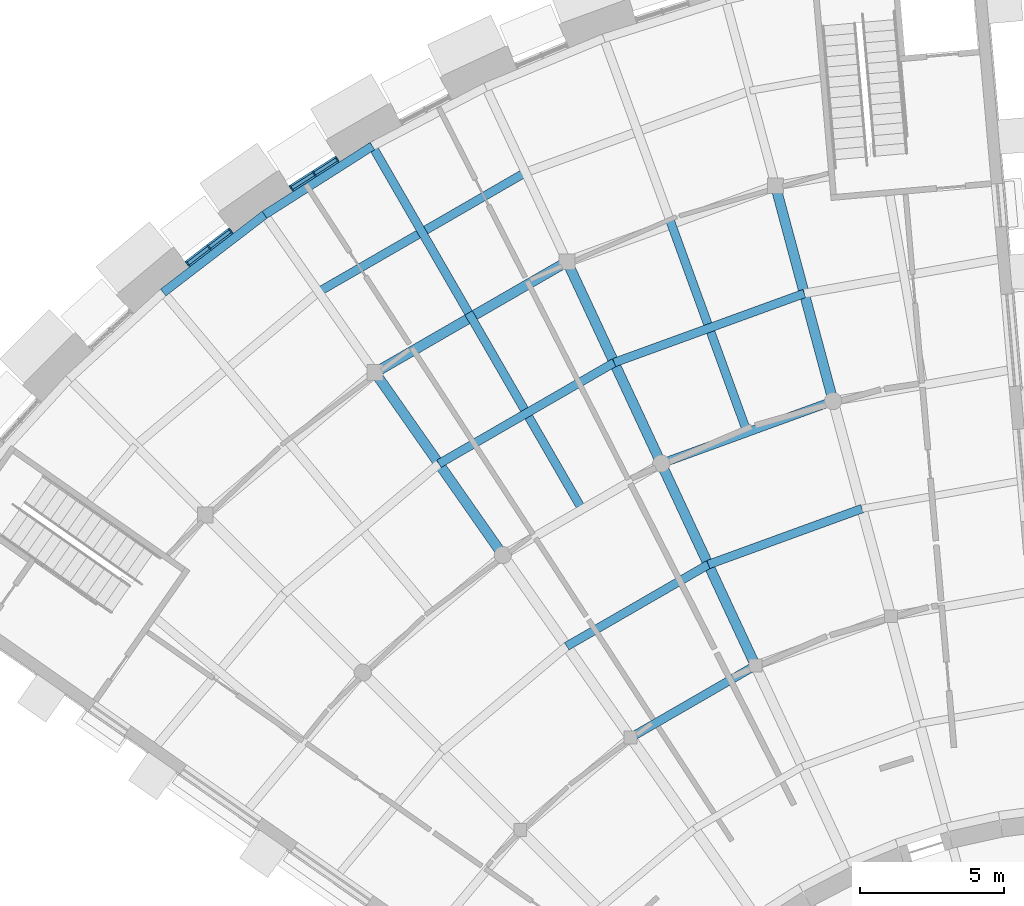
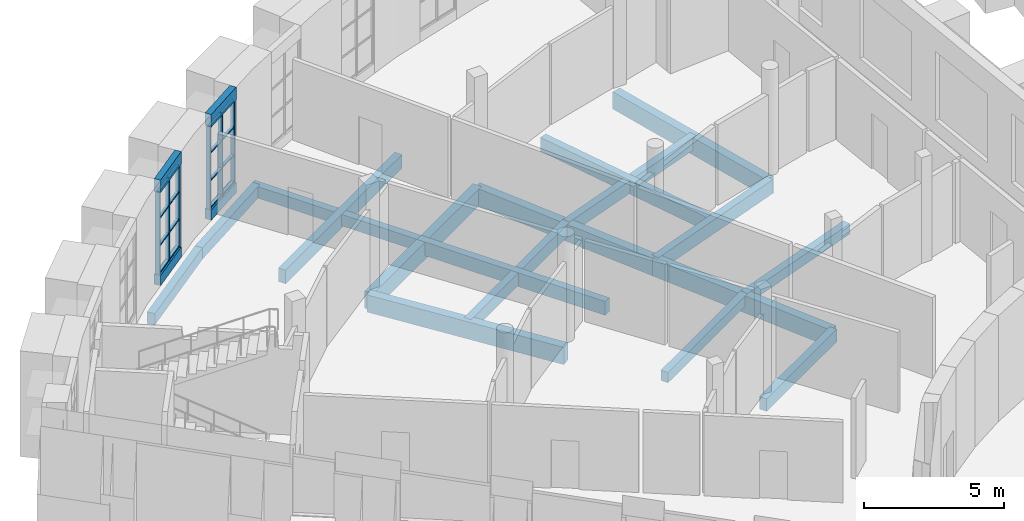
# One storey, part 10 of 50: 22 members, 21 beams, 2 elements without a shape of their own.
"""IFC4 building model written with IfcOpenShell, lengths in metres."""

from ifc_helpers import new_model, si_unit, direction, frame, origin, origin_2d, place, context, subcontext, project, spatial, rectangle, extrude, material, layer, layer_set, material_profile, profile_set, type_object, element, aggregate, save


model = new_model("IFC4")

# Units and contexts
model_context = context("Model", 3, precision=1e-05, world=origin(), true_north=direction((0.0, 1.0)))
body_context = subcontext(model_context, "Body", "Model", "MODEL_VIEW")
ifc_project = project(units=[si_unit("LENGTHUNIT", "METRE"), si_unit("AREAUNIT", "SQUARE_METRE"), si_unit("VOLUMEUNIT", "CUBIC_METRE"), si_unit("PLANEANGLEUNIT", "RADIAN"), si_unit("MASSUNIT", "GRAM", prefix="KILO")], contexts=[model_context])

# Site, building, storey
site_placement = place(None, origin())
site = spatial("IfcSite", under=ifc_project, at=site_placement, CompositionType="ELEMENT")
building_placement = place(site_placement, origin())
building = spatial("IfcBuilding", under=site, at=building_placement, Name="Volute Hill Aquarium", CompositionType="ELEMENT")
storey_placement = place(building_placement, frame((0.0, 0.0, 9.199951171875)))
storey = spatial("IfcBuildingStorey", under=building, at=storey_placement, Name="L03", CompositionType="ELEMENT", Elevation=9.199951171875)

# Beams
ifc_material_1 = material(Name="Concrete C35/45", Category="concrete")
ifc_material_profile_1 = material_profile(ifc_material_1, rectangle(XDim=0.300048828125, YDim=0.550048828125, at=origin_2d()), Name="RC beam 300x550")
ifc_profile_set_1 = profile_set([ifc_material_profile_1], Name="Concrete C35/45")
beam_type_1 = type_object("IfcBeamType", Name="Beam 300x550 C35/45", PredefinedType="BEAM", material=ifc_profile_set_1)
beam_1_placement = place(storey_placement, frame((-12.150390625, 26.056396484375, -0.594970703125), z_axis=(-0.866003851672, -0.500037327496, 0.0), x_axis=(0.500037327496, -0.866003851672, 0.0)))
element("IfcBeam", 1, at=beam_1_placement, inside=storey, type_object=beam_type_1, Name="bm/S6/L03/ring1.19", PredefinedType="BEAM", context=body_context, shape_type="SweptSolid", body=[
    extrude(rectangle(XDim=0.300048828125, YDim=0.550048828125, at=origin_2d()), origin(), (0.0, 0.0, 1.0), 5.01123046875),
])
ifc_material_2 = material(Name="Concrete C35/45", Category="concrete")
ifc_material_profile_2 = material_profile(ifc_material_2, rectangle(XDim=0.300048828125, YDim=0.60009765625, at=origin_2d()), Name="RC beam 300x600")
ifc_profile_set_2 = profile_set([ifc_material_profile_2], Name="Concrete C35/45")
beam_type_2 = type_object("IfcBeamType", Name="Beam 300x600 C35/45", PredefinedType="BEAM", material=ifc_profile_set_2)
beam_2_placement = place(storey_placement, frame((-9.447021484375, 35.25634765625, -0.619873046875), z_axis=(-0.939679092098, -0.342057310804, 0.0), x_axis=(0.342057310804, -0.939679092098, 0.0)))
element("IfcBeam", 2, at=beam_2_placement, inside=storey, type_object=beam_type_2, Name="bm/S6/L03/ring2.23", PredefinedType="BEAM", context=body_context, shape_type="SweptSolid", body=[
    extrude(rectangle(XDim=0.300048828125, YDim=0.60009765625, at=origin_2d()), origin(), (0.0, 0.0, 1.0), 6.3623046875),
])
ifc_material_3 = material(Name="Concrete C35/45", Category="concrete")
ifc_material_profile_3 = material_profile(ifc_material_3, rectangle(XDim=0.35009765625, YDim=0.75, at=origin_2d()), Name="RC beam 350x750")
ifc_profile_set_3 = profile_set([ifc_material_profile_3], Name="Concrete C35/45")
beam_type_3 = type_object("IfcBeamType", Name="Beam 350x750 C35/45", PredefinedType="BEAM", material=ifc_profile_set_3)
for number, where, z_axis, x_axis, name in (
    (3, (-9.447021484375, 35.25634765625, -0.695068359375), (-0.258793822337, 0.965932584356, 0.0), (-0.965932584356, -0.258793822337, 0.0), "bm/S6/L03/rad1.3"),
    (4, (-12.150390625, 26.056396484375, -0.695068359375), (-0.422612956623, 0.906310260835, 0.0), (-0.906310260835, -0.422612956623, 0.0), "bm/S6/L03/rad2.6"),
):
    element("IfcBeam", number, at=place(storey_placement, frame(where, z_axis=z_axis, x_axis=x_axis)), inside=storey, type_object=beam_type_3, Name=name, PredefinedType="BEAM", context=body_context, shape_type="SweptSolid", body=[
        extrude(rectangle(XDim=0.35009765625, YDim=0.75, at=origin_2d()), origin(), (0.0, 0.0, 1.0), 7.749755859375),
    ])
beam_3_placement = place(storey_placement, frame((-15.425537109375, 33.080078125, -0.695068359375), z_axis=(-0.422626766283, 0.906303821255, 0.0), x_axis=(-0.906303821255, -0.422626766283, 0.0)))
element("IfcBeam", 5, at=beam_3_placement, inside=storey, type_object=beam_type_3, Name="bm/S6/L03/rad2.7", PredefinedType="BEAM", context=body_context, shape_type="SweptSolid", body=[
    extrude(rectangle(XDim=0.35009765625, YDim=0.75, at=origin_2d()), origin(), (0.0, 0.0, 1.0), 7.75),
])
beam_4_placement = place(storey_placement, frame((-20.935546875, 29.89892578125, -0.695068359375), z_axis=(-0.573572275972, 0.819154957402, 0.0), x_axis=(-0.819154957402, -0.573572275972, 0.0)))
element("IfcBeam", 6, at=beam_4_placement, inside=storey, type_object=beam_type_3, Name="bm/S6/L03/rad3.11", PredefinedType="BEAM", context=body_context, shape_type="SweptSolid", body=[
    extrude(rectangle(XDim=0.35009765625, YDim=0.75, at=origin_2d()), origin(), (0.0, 0.0, 1.0), 7.750244140625),
])
beam_5_placement = place(storey_placement, frame((-18.700927734375, 40.10400390625, -0.695068359375), z_axis=(-0.866037474467, -0.499979092382, 0.0), x_axis=(0.499979092382, -0.866037474467, 0.0)))
element("IfcBeam", 7, at=beam_5_placement, inside=storey, type_object=beam_type_3, Name="bm/S6/L03/ring3.29", PredefinedType="BEAM", context=body_context, shape_type="SweptSolid", body=[
    extrude(rectangle(XDim=0.35009765625, YDim=0.75, at=origin_2d()), origin(), (0.0, 0.0, 1.0), 7.713134765625),
])

# Curtain wall, members
ifc_material_4 = material(Name="Aluminium", Category="aluminium")
ifc_layer = layer(ifc_material_4, 0.25)
ifc_layer_set = layer_set([ifc_layer], Name="Curtain wall niche S6 module 967")
curtain_wall_type = type_object("IfcCurtainWallType", Name="Curtain wall niche S6 module 967", PredefinedType="NOTDEFINED", material=ifc_layer_set)
curtain_wall_1_placement = place(storey_placement, origin())
curtain_wall_1 = element("IfcCurtainWall", 8, at=curtain_wall_1_placement, inside=storey, type_object=curtain_wall_type, Name="Curtain wall CW S6 L03 6", PredefinedType="NOTDEFINED")
ifc_material_5 = material(Name="Aluminium", Category="aluminium")
ifc_material_profile_4 = material_profile(ifc_material_5, rectangle(XDim=0.169921875, YDim=0.050048828125, at=origin_2d()), Name="Curtain wall mullion S6 50x170")
ifc_profile_set_4 = profile_set([ifc_material_profile_4], Name="Aluminium")
member_type_1 = type_object("IfcMemberType", Name="Curtain wall mullion S6 50x170", PredefinedType="MULLION", material=ifc_profile_set_4)
member_1_placement = place(storey_placement, frame((-26.702392578125, 43.66748046875, 0.449951171875), z_axis=(0.0, 0.0, 1.0), x_axis=(0.537294689973, -0.843394579142, 0.0)))
member_1 = element("IfcMember", 9, at=member_1_placement, type_object=member_type_1, Name="CW mullion 1", PredefinedType="MULLION", context=body_context, shape_type="SweptSolid", body=[
    extrude(rectangle(XDim=0.169921875, YDim=0.050048828125, at=origin_2d()), origin(), (0.0, 0.0, 1.0), 3.60009765625),
])
member_2_placement = place(storey_placement, frame((-27.496826171875, 43.161376953125, 0.449951171875), z_axis=(0.0, 0.0, 1.0), x_axis=(0.537294689973, -0.843394579142, 0.0)))
member_2 = element("IfcMember", 10, at=member_2_placement, type_object=member_type_1, Name="CW mullion 2", PredefinedType="MULLION", context=body_context, shape_type="SweptSolid", body=[
    extrude(rectangle(XDim=0.169921875, YDim=0.050048828125, at=origin_2d()), origin(), (0.0, 0.0, 1.0), 3.60009765625),
])
member_3_placement = place(storey_placement, frame((-28.291259765625, 42.6552734375, 0.449951171875), z_axis=(0.0, 0.0, 1.0), x_axis=(0.537294689973, -0.843394579142, 0.0)))
member_3 = element("IfcMember", 11, at=member_3_placement, type_object=member_type_1, Name="CW mullion 3", PredefinedType="MULLION", context=body_context, shape_type="SweptSolid", body=[
    extrude(rectangle(XDim=0.169921875, YDim=0.050048828125, at=origin_2d()), origin(), (0.0, 0.0, 1.0), 3.60009765625),
])

curtain_wall_2_placement = place(storey_placement, origin())
curtain_wall_2 = element("IfcCurtainWall", 12, at=curtain_wall_2_placement, inside=storey, type_object=curtain_wall_type, Name="Curtain wall CW S6 L03 7", PredefinedType="NOTDEFINED")
member_4_placement = place(storey_placement, frame((-30.40673828125, 41.174072265625, 0.449951171875), z_axis=(0.0, 0.0, 1.0), x_axis=(0.608768681127, -0.793347775493, 0.0)))
member_4 = element("IfcMember", 13, at=member_4_placement, type_object=member_type_1, Name="CW mullion 1", PredefinedType="MULLION", context=body_context, shape_type="SweptSolid", body=[
    extrude(rectangle(XDim=0.169921875, YDim=0.050048828125, at=origin_2d()), origin(), (0.0, 0.0, 1.0), 3.60009765625),
])
member_5_placement = place(storey_placement, frame((-31.154052734375, 40.6005859375, 0.449951171875), z_axis=(0.0, 0.0, 1.0), x_axis=(0.608768681127, -0.793347775493, 0.0)))
member_5 = element("IfcMember", 14, at=member_5_placement, type_object=member_type_1, Name="CW mullion 2", PredefinedType="MULLION", context=body_context, shape_type="SweptSolid", body=[
    extrude(rectangle(XDim=0.169921875, YDim=0.050048828125, at=origin_2d()), origin(), (0.0, 0.0, 1.0), 3.60009765625),
])
member_6_placement = place(storey_placement, frame((-31.9013671875, 40.027099609375, 0.449951171875), z_axis=(0.0, 0.0, 1.0), x_axis=(0.608768681127, -0.793347775493, 0.0)))
member_6 = element("IfcMember", 15, at=member_6_placement, type_object=member_type_1, Name="CW mullion 3", PredefinedType="MULLION", context=body_context, shape_type="SweptSolid", body=[
    extrude(rectangle(XDim=0.169921875, YDim=0.050048828125, at=origin_2d()), origin(), (0.0, 0.0, 1.0), 3.60009765625),
])

# Member
ifc_material_6 = material(Name="Aluminium", Category="aluminium")
ifc_material_profile_5 = material_profile(ifc_material_6, rectangle(XDim=0.1201171875, YDim=0.050048828125, at=origin_2d()), Name="Curtain wall transom S6 50x120")
ifc_profile_set_5 = profile_set([ifc_material_profile_5], Name="Aluminium")
member_type_2 = type_object("IfcMemberType", Name="Curtain wall transom S6 50x120", PredefinedType="USERDEFINED", material=ifc_profile_set_5)
member_7_placement = place(storey_placement, frame((-26.7236328125, 43.654052734375, 0.47509765625), z_axis=(-0.843368307782, -0.537335926055, 0.0), x_axis=(0.537335926055, -0.843368307782, 0.0)))
member_7 = element("IfcMember", 16, at=member_7_placement, type_object=member_type_2, Name="CW transom 1.1", ObjectType="TRANSOM", PredefinedType="USERDEFINED", context=body_context, shape_type="SweptSolid", body=[
    extrude(rectangle(XDim=0.1201171875, YDim=0.050048828125, at=origin_2d()), origin(), (0.0, 0.0, 1.0), 0.891845703125),
])

member_8_placement = place(storey_placement, frame((-26.7236328125, 43.654052734375, 1.650146484375), z_axis=(-0.843368307782, -0.537335926055, 0.0), x_axis=(0.537335926055, -0.843368307782, 0.0)))
member_8 = element("IfcMember", 17, at=member_8_placement, type_object=member_type_2, Name="CW transom 1.2", ObjectType="TRANSOM", PredefinedType="USERDEFINED", context=body_context, shape_type="SweptSolid", body=[
    extrude(rectangle(XDim=0.1201171875, YDim=0.050048828125, at=origin_2d()), origin(), (0.0, 0.0, 1.0), 0.891845703125),
])

member_9_placement = place(storey_placement, frame((-26.7236328125, 43.654052734375, 2.85009765625), z_axis=(-0.843368307782, -0.537335926055, 0.0), x_axis=(0.537335926055, -0.843368307782, 0.0)))
member_9 = element("IfcMember", 18, at=member_9_placement, type_object=member_type_2, Name="CW transom 1.3", ObjectType="TRANSOM", PredefinedType="USERDEFINED", context=body_context, shape_type="SweptSolid", body=[
    extrude(rectangle(XDim=0.1201171875, YDim=0.050048828125, at=origin_2d()), origin(), (0.0, 0.0, 1.0), 0.891845703125),
])

member_10_placement = place(storey_placement, frame((-26.7236328125, 43.654052734375, 4.025146484375), z_axis=(-0.843368307782, -0.537335926055, 0.0), x_axis=(0.537335926055, -0.843368307782, 0.0)))
member_10 = element("IfcMember", 19, at=member_10_placement, type_object=member_type_2, Name="CW transom 1.4", ObjectType="TRANSOM", PredefinedType="USERDEFINED", context=body_context, shape_type="SweptSolid", body=[
    extrude(rectangle(XDim=0.1201171875, YDim=0.050048828125, at=origin_2d()), origin(), (0.0, 0.0, 1.0), 0.891845703125),
])

member_11_placement = place(storey_placement, frame((-27.517822265625, 43.14794921875, 0.47509765625), z_axis=(-0.843368307782, -0.537335926055, 0.0), x_axis=(0.537335926055, -0.843368307782, 0.0)))
member_11 = element("IfcMember", 20, at=member_11_placement, type_object=member_type_2, Name="CW transom 2.1", ObjectType="TRANSOM", PredefinedType="USERDEFINED", context=body_context, shape_type="SweptSolid", body=[
    extrude(rectangle(XDim=0.1201171875, YDim=0.050048828125, at=origin_2d()), origin(), (0.0, 0.0, 1.0), 0.891845703125),
])

member_12_placement = place(storey_placement, frame((-27.517822265625, 43.14794921875, 1.650146484375), z_axis=(-0.843368307782, -0.537335926055, 0.0), x_axis=(0.537335926055, -0.843368307782, 0.0)))
member_12 = element("IfcMember", 21, at=member_12_placement, type_object=member_type_2, Name="CW transom 2.2", ObjectType="TRANSOM", PredefinedType="USERDEFINED", context=body_context, shape_type="SweptSolid", body=[
    extrude(rectangle(XDim=0.1201171875, YDim=0.050048828125, at=origin_2d()), origin(), (0.0, 0.0, 1.0), 0.891845703125),
])

member_13_placement = place(storey_placement, frame((-27.517822265625, 43.14794921875, 2.85009765625), z_axis=(-0.843368307782, -0.537335926055, 0.0), x_axis=(0.537335926055, -0.843368307782, 0.0)))
member_13 = element("IfcMember", 22, at=member_13_placement, type_object=member_type_2, Name="CW transom 2.3", ObjectType="TRANSOM", PredefinedType="USERDEFINED", context=body_context, shape_type="SweptSolid", body=[
    extrude(rectangle(XDim=0.1201171875, YDim=0.050048828125, at=origin_2d()), origin(), (0.0, 0.0, 1.0), 0.891845703125),
])

member_14_placement = place(storey_placement, frame((-27.517822265625, 43.14794921875, 4.025146484375), z_axis=(-0.843368307782, -0.537335926055, 0.0), x_axis=(0.537335926055, -0.843368307782, 0.0)))
member_14 = element("IfcMember", 23, at=member_14_placement, type_object=member_type_2, Name="CW transom 2.4", ObjectType="TRANSOM", PredefinedType="USERDEFINED", context=body_context, shape_type="SweptSolid", body=[
    extrude(rectangle(XDim=0.1201171875, YDim=0.050048828125, at=origin_2d()), origin(), (0.0, 0.0, 1.0), 0.891845703125),
])

aggregate(curtain_wall_1, [member_1, member_2, member_3, member_7, member_8, member_9, member_10, member_11, member_12, member_13, member_14])

member_15_placement = place(storey_placement, frame((-30.426513671875, 41.15869140625, 0.47509765625), z_axis=(-0.793416906556, -0.608678578883, 0.0), x_axis=(0.608678578883, -0.793416906556, 0.0)))
member_15 = element("IfcMember", 24, at=member_15_placement, type_object=member_type_2, Name="CW transom 1.1", ObjectType="TRANSOM", PredefinedType="USERDEFINED", context=body_context, shape_type="SweptSolid", body=[
    extrude(rectangle(XDim=0.1201171875, YDim=0.050048828125, at=origin_2d()), origin(), (0.0, 0.0, 1.0), 0.89208984375),
])

member_16_placement = place(storey_placement, frame((-30.426513671875, 41.15869140625, 1.650146484375), z_axis=(-0.793416906556, -0.608678578883, 0.0), x_axis=(0.608678578883, -0.793416906556, 0.0)))
member_16 = element("IfcMember", 25, at=member_16_placement, type_object=member_type_2, Name="CW transom 1.2", ObjectType="TRANSOM", PredefinedType="USERDEFINED", context=body_context, shape_type="SweptSolid", body=[
    extrude(rectangle(XDim=0.1201171875, YDim=0.050048828125, at=origin_2d()), origin(), (0.0, 0.0, 1.0), 0.89208984375),
])

member_17_placement = place(storey_placement, frame((-30.426513671875, 41.15869140625, 2.85009765625), z_axis=(-0.793416906556, -0.608678578883, 0.0), x_axis=(0.608678578883, -0.793416906556, 0.0)))
member_17 = element("IfcMember", 26, at=member_17_placement, type_object=member_type_2, Name="CW transom 1.3", ObjectType="TRANSOM", PredefinedType="USERDEFINED", context=body_context, shape_type="SweptSolid", body=[
    extrude(rectangle(XDim=0.1201171875, YDim=0.050048828125, at=origin_2d()), origin(), (0.0, 0.0, 1.0), 0.89208984375),
])

member_18_placement = place(storey_placement, frame((-30.426513671875, 41.15869140625, 4.025146484375), z_axis=(-0.793416906556, -0.608678578883, 0.0), x_axis=(0.608678578883, -0.793416906556, 0.0)))
member_18 = element("IfcMember", 27, at=member_18_placement, type_object=member_type_2, Name="CW transom 1.4", ObjectType="TRANSOM", PredefinedType="USERDEFINED", context=body_context, shape_type="SweptSolid", body=[
    extrude(rectangle(XDim=0.1201171875, YDim=0.050048828125, at=origin_2d()), origin(), (0.0, 0.0, 1.0), 0.89208984375),
])

member_19_placement = place(storey_placement, frame((-31.173828125, 40.58544921875, 0.47509765625), z_axis=(-0.793315475548, -0.608810772125, 0.0), x_axis=(0.608810772125, -0.793315475548, 0.0)))
member_19 = element("IfcMember", 28, at=member_19_placement, type_object=member_type_2, Name="CW transom 2.1", ObjectType="TRANSOM", PredefinedType="USERDEFINED", context=body_context, shape_type="SweptSolid", body=[
    extrude(rectangle(XDim=0.1201171875, YDim=0.050048828125, at=origin_2d()), origin(), (0.0, 0.0, 1.0), 0.891845703125),
])

member_20_placement = place(storey_placement, frame((-31.173828125, 40.58544921875, 1.650146484375), z_axis=(-0.793315475548, -0.608810772125, 0.0), x_axis=(0.608810772125, -0.793315475548, 0.0)))
member_20 = element("IfcMember", 29, at=member_20_placement, type_object=member_type_2, Name="CW transom 2.2", ObjectType="TRANSOM", PredefinedType="USERDEFINED", context=body_context, shape_type="SweptSolid", body=[
    extrude(rectangle(XDim=0.1201171875, YDim=0.050048828125, at=origin_2d()), origin(), (0.0, 0.0, 1.0), 0.891845703125),
])

member_21_placement = place(storey_placement, frame((-31.173828125, 40.58544921875, 2.85009765625), z_axis=(-0.793315475548, -0.608810772125, 0.0), x_axis=(0.608810772125, -0.793315475548, 0.0)))
member_21 = element("IfcMember", 30, at=member_21_placement, type_object=member_type_2, Name="CW transom 2.3", ObjectType="TRANSOM", PredefinedType="USERDEFINED", context=body_context, shape_type="SweptSolid", body=[
    extrude(rectangle(XDim=0.1201171875, YDim=0.050048828125, at=origin_2d()), origin(), (0.0, 0.0, 1.0), 0.891845703125),
])

member_22_placement = place(storey_placement, frame((-31.173828125, 40.58544921875, 4.025146484375), z_axis=(-0.793315475548, -0.608810772125, 0.0), x_axis=(0.608810772125, -0.793315475548, 0.0)))
member_22 = element("IfcMember", 31, at=member_22_placement, type_object=member_type_2, Name="CW transom 2.4", ObjectType="TRANSOM", PredefinedType="USERDEFINED", context=body_context, shape_type="SweptSolid", body=[
    extrude(rectangle(XDim=0.1201171875, YDim=0.050048828125, at=origin_2d()), origin(), (0.0, 0.0, 1.0), 0.891845703125),
])

aggregate(curtain_wall_2, [member_4, member_5, member_6, member_15, member_16, member_17, member_18, member_19, member_20, member_21, member_22])

# Beams
ifc_material_7 = material(Name="Concrete C35/45", Category="concrete")
ifc_material_profile_6 = material_profile(ifc_material_7, rectangle(XDim=0.300048828125, YDim=0.5, at=origin_2d()), Name="RC edge beam 300x500")
ifc_profile_set_6 = profile_set([ifc_material_profile_6], Name="Concrete C35/45")
beam_type_4 = type_object("IfcBeamType", Name="Edge beam 300x500 C35/45", PredefinedType="BEAM", material=ifc_profile_set_6)
for number, where, z_axis, x_axis, name in (
    (32, (-25.474853515625, 44.123779296875, -0.570068359375), (-0.843396768651, -0.537291253073, 0.0), (0.537291253073, -0.843396768651, 0.0), "bm/S6/L03/edgeO.47"),
    (33, (-29.2236328125, 41.735595703125, -0.570068359375), (-0.793360529579, -0.608752059632, 0.0), (0.608752059632, -0.793360529579, 0.0), "bm/S6/L03/edgeO.48"),
):
    element("IfcBeam", number, at=place(storey_placement, frame(where, z_axis=z_axis, x_axis=x_axis)), inside=storey, type_object=beam_type_4, Name=name, PredefinedType="BEAM", context=body_context, shape_type="SweptSolid", body=[
        extrude(rectangle(XDim=0.300048828125, YDim=0.5, at=origin_2d()), origin(), (0.0, 0.0, 1.0), 4.44482421875),
    ])
ifc_material_8 = material(Name="Concrete C35/45", Category="concrete")
ifc_material_profile_7 = material_profile(ifc_material_8, rectangle(XDim=0.300048828125, YDim=0.449951171875, at=origin_2d()), Name="RC joist 300x450")
ifc_profile_set_7 = profile_set([ifc_material_profile_7], Name="Concrete C35/45")
beam_type_5 = type_object("IfcBeamType", Name="Joist 300x450 C35/45", PredefinedType="BEAM", material=ifc_profile_set_7)
beam_6_placement = place(storey_placement, frame((-8.444091796875, 31.51318359375, -0.544921875), z_axis=(-0.939700630185, -0.341998136881, 0.0), x_axis=(0.341998136881, -0.939700630185, 0.0)))
element("IfcBeam", 34, at=beam_6_placement, inside=storey, type_object=beam_type_5, Name="bm/S6/L03/jst7", PredefinedType="BEAM", context=body_context, shape_type="SweptSolid", body=[
    extrude(rectangle(XDim=0.300048828125, YDim=0.449951171875, at=origin_2d()), origin(), (0.0, 0.0, 1.0), 5.686767578125),
])
beam_7_placement = place(storey_placement, frame((-13.787841796875, 29.568359375, -0.544921875), z_axis=(-0.866023302837, -0.50000363893, 0.0), x_axis=(0.50000363893, -0.866023302837, 0.0)))
element("IfcBeam", 35, at=beam_7_placement, inside=storey, type_object=beam_type_5, Name="bm/S6/L03/jst8", PredefinedType="BEAM", context=body_context, shape_type="SweptSolid", body=[
    extrude(rectangle(XDim=0.300048828125, YDim=0.449951171875, at=origin_2d()), origin(), (0.0, 0.0, 1.0), 5.68701171875),
])
ifc_material_9 = material(Name="Concrete C35/45", Category="concrete")
ifc_material_profile_8 = material_profile(ifc_material_9, rectangle(XDim=0.300048828125, YDim=0.5, at=origin_2d()), Name="RC joist 300x500")
ifc_profile_set_8 = profile_set([ifc_material_profile_8], Name="Concrete C35/45")
beam_type_6 = type_object("IfcBeamType", Name="Joist 300x500 C35/45", PredefinedType="BEAM", material=ifc_profile_set_8)
beam_8_placement = place(storey_placement, frame((-22.125, 38.321533203125, -0.570068359375), z_axis=(-0.499999086063, 0.866025931445, 0.0), x_axis=(-0.866025931445, -0.499999086063, 0.0)))
element("IfcBeam", 36, at=beam_8_placement, inside=storey, type_object=beam_type_6, Name="bm/S6/L03/rjst8", PredefinedType="BEAM", context=body_context, shape_type="SweptSolid", body=[
    extrude(rectangle(XDim=0.300048828125, YDim=0.5, at=origin_2d()), origin(), (0.0, 0.0, 1.0), 6.85009765625),
])
ifc_material_10 = material(Name="Concrete C35/45", Category="concrete")
ifc_material_profile_9 = material_profile(ifc_material_10, rectangle(XDim=0.300048828125, YDim=0.550048828125, at=origin_2d()), Name="RC joist 300x550")
ifc_profile_set_9 = profile_set([ifc_material_profile_9], Name="Concrete C35/45")
beam_type_7 = type_object("IfcBeamType", Name="Joist 300x550 C35/45", PredefinedType="BEAM", material=ifc_profile_set_9)
for number, where, z_axis, x_axis, name in (
    (37, (-10.44970703125, 38.999267578125, -0.594970703125), (-0.939699194872, -0.342002080632, 0.0), (0.342002080632, -0.939699194872, 0.0), "bm/S6/L03/jst12"),
    (38, (-17.063232421875, 36.59228515625, -0.594970703125), (-0.866018636338, -0.500011721377, 0.0), (0.500011721377, -0.866018636338, 0.0), "bm/S6/L03/jst13"),
):
    element("IfcBeam", number, at=place(storey_placement, frame(where, z_axis=z_axis, x_axis=x_axis)), inside=storey, type_object=beam_type_7, Name=name, PredefinedType="BEAM", context=body_context, shape_type="SweptSolid", body=[
        extrude(rectangle(XDim=0.300048828125, YDim=0.550048828125, at=origin_2d()), origin(), (0.0, 0.0, 1.0), 7.037841796875),
    ])
ifc_material_11 = material(Name="Concrete C35/45", Category="concrete")
ifc_material_profile_10 = material_profile(ifc_material_11, rectangle(XDim=0.300048828125, YDim=0.60009765625, at=origin_2d()), Name="RC joist 300x600")
ifc_profile_set_10 = profile_set([ifc_material_profile_10], Name="Concrete C35/45")
beam_type_8 = type_object("IfcBeamType", Name="Joist 300x600 C35/45", PredefinedType="BEAM", material=ifc_profile_set_10)
beam_9_placement = place(storey_placement, frame((-20.148193359375, 43.208251953125, -0.619873046875), z_axis=(-0.866021696715, -0.500006420777, 0.0), x_axis=(0.500006420777, -0.866021696715, 0.0)))
element("IfcBeam", 39, at=beam_9_placement, inside=storey, type_object=beam_type_8, Name="bm/S6/L03/jst18", PredefinedType="BEAM", context=body_context, shape_type="SweptSolid", body=[
    extrude(rectangle(XDim=0.300048828125, YDim=0.60009765625, at=origin_2d()), origin(), (0.0, 0.0, 1.0), 8.310546875),
])
for number, where, z_axis, x_axis, name in (
    (40, (-12.483642578125, 34.298828125, -0.619873046875), (-0.342051628927, 0.939681160367, 0.0), (-0.939681160367, -0.342051628927, 0.0), "bm/S6/L03/rjst2"),
    (41, (-18.25, 31.60986328125, -0.619873046875), (-0.500001506187, 0.866024534185, 0.0), (-0.866024534185, -0.500001506187, 0.0), "bm/S6/L03/rjst3"),
):
    element("IfcBeam", number, at=place(storey_placement, frame(where, z_axis=z_axis, x_axis=x_axis)), inside=storey, type_object=beam_type_8, Name=name, PredefinedType="BEAM", context=body_context, shape_type="SweptSolid", body=[
        extrude(rectangle(XDim=0.300048828125, YDim=0.60009765625, at=origin_2d()), origin(), (0.0, 0.0, 1.0), 7.75),
    ])
ifc_material_12 = material(Name="Concrete C35/45", Category="concrete")
ifc_material_profile_11 = material_profile(ifc_material_12, rectangle(XDim=0.25, YDim=0.550048828125, at=origin_2d()), Name="RC beam 250x550")
ifc_profile_set_11 = profile_set([ifc_material_profile_11], Name="Concrete C35/45")
beam_type_9 = type_object("IfcBeamType", Name="Niche head beam RC 250x550 C35/45", PredefinedType="BEAM", material=ifc_profile_set_11)
for number, where, z_axis, x_axis, name in (
    (42, (-26.681396484375, 43.680908203125, 4.324951171875), (-0.843370239062, -0.537332894828, 0.0), (0.537332894828, -0.843370239062, 0.0), "Niche head beam OWB S6 L03 6"),
    (43, (-30.386962890625, 41.189208984375, 4.324951171875), (-0.793346193695, -0.608770742521, 0.0), (0.608770742521, -0.793346193695, 0.0), "Niche head beam OWB S6 L03 7"),
):
    element("IfcBeam", number, at=place(storey_placement, frame(where, z_axis=z_axis, x_axis=x_axis)), inside=storey, type_object=beam_type_9, Name=name, PredefinedType="BEAM", context=body_context, shape_type="SweptSolid", body=[
        extrude(rectangle(XDim=0.25, YDim=0.550048828125, at=origin_2d()), origin(), (0.0, 0.0, 1.0), 1.933837890625),
    ])
ifc_material_13 = material(Name="Concrete C35/45", Category="concrete")
ifc_material_profile_12 = material_profile(ifc_material_13, rectangle(XDim=0.25, YDim=0.449951171875, at=origin_2d()), Name="RC beam 250x450")
ifc_profile_set_12 = profile_set([ifc_material_profile_12], Name="Concrete C35/45")
beam_type_10 = type_object("IfcBeamType", Name="Niche sill beam RC 250x450 C35/45", PredefinedType="BEAM", material=ifc_profile_set_12)
for number, where, z_axis, x_axis, name in (
    (44, (-26.681396484375, 43.680908203125, 0.22509765625), (-0.843370239062, -0.537332894828, 0.0), (0.537332894828, -0.843370239062, 0.0), "Niche sill beam OWB S6 L03 6"),
    (45, (-30.386962890625, 41.189208984375, 0.22509765625), (-0.793346193695, -0.608770742521, 0.0), (0.608770742521, -0.793346193695, 0.0), "Niche sill beam OWB S6 L03 7"),
):
    element("IfcBeam", number, at=place(storey_placement, frame(where, z_axis=z_axis, x_axis=x_axis)), inside=storey, type_object=beam_type_10, Name=name, PredefinedType="BEAM", context=body_context, shape_type="SweptSolid", body=[
        extrude(rectangle(XDim=0.25, YDim=0.449951171875, at=origin_2d()), origin(), (0.0, 0.0, 1.0), 1.933837890625),
    ])

save(model, "model.ifc")
